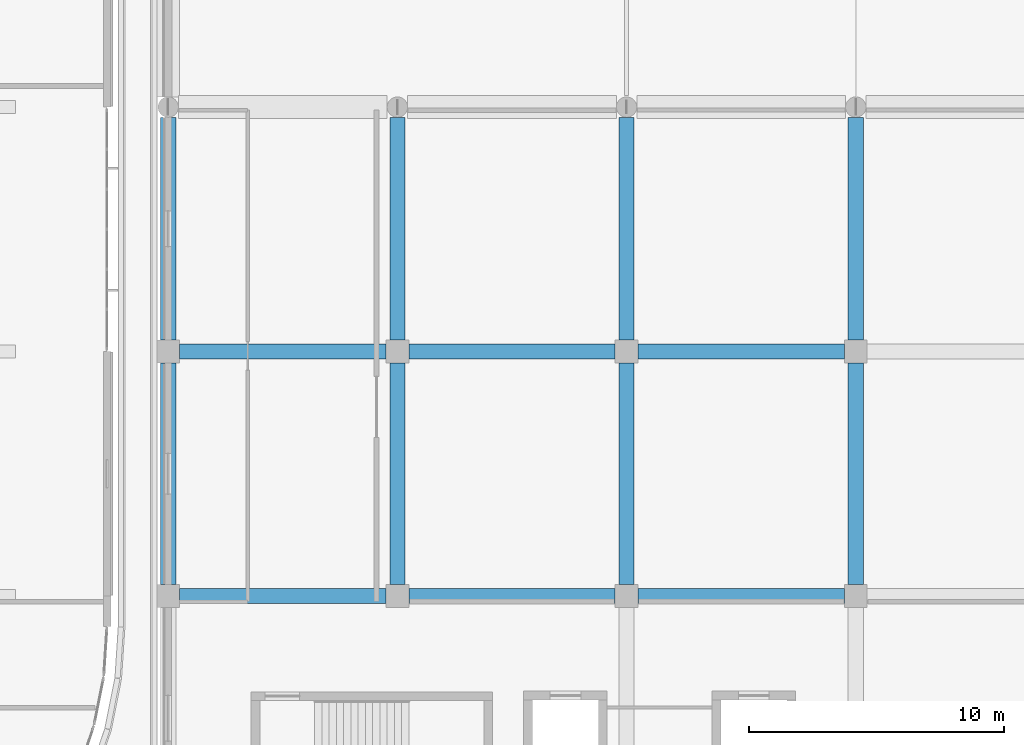
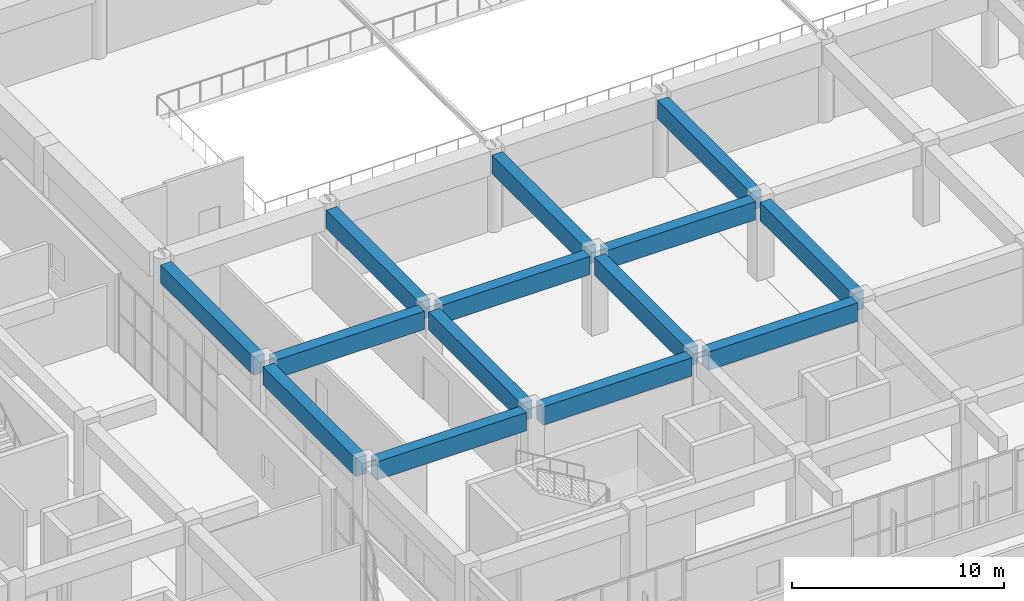
# One storey, part 19 of 96: 14 beams.
"""IFC4 building model written with IfcOpenShell, lengths in metres."""

import ifcopenshell
import ifcopenshell.guid

model = None  # the IFC model being written
_history = None  # IfcOwnerHistory: only IFC2X3 demands one
_inside = {}  # id of a spatial element -> (the spatial element, [elements in it])
_under = {}  # id of a project, library or spatial element -> (it, [spatial elements below it])
_declared = {}  # id of a project -> (the project, [libraries it declares])
_typed = {}  # id of a type object -> (the type object, [elements of that type])
_made_of = {}  # id of a material, layer set ... -> (it, [elements and type objects made of it])


def new_model(schema):
    """Start an empty IFC model of exactly this schema.

    Asked for "IFC4X3", IfcOpenShell would pick the latest addendum, in which some entities
    have other attributes; the version numbers below select the first issue.
    IFC2X3 requires an IfcOwnerHistory on every rooted entity: one is made here for all.
    """
    global model, _history
    if schema == "IFC4X3":
        model = ifcopenshell.file(schema_version=(4, 3, 0, 0))
    else:
        model = ifcopenshell.file(schema=schema)
    _inside.clear()
    _under.clear()
    _declared.clear()
    _typed.clear()
    _made_of.clear()
    _history = None
    if model.schema == "IFC2X3":
        org = make("IfcOrganization", Name="unknown")
        user = make(
            "IfcPersonAndOrganization",
            ThePerson=make("IfcPerson", FamilyName="unknown"),
            TheOrganization=org,
        )
        app = make(
            "IfcApplication",
            ApplicationDeveloper=org,
            Version="unknown",
            ApplicationFullName="unknown",
            ApplicationIdentifier="unknown",
        )
        _history = make(
            "IfcOwnerHistory",
            OwningUser=user,
            OwningApplication=app,
            ChangeAction="ADDED",
            CreationDate=0,
        )
    return model


def make(cls, **values):
    """One entity of the class cls with the attributes given. An attribute that is None is left unset."""
    return model.create_entity(
        cls, **{name: value for name, value in values.items() if value is not None}
    )


def rooted(cls, **values):
    """An entity with a GlobalId (a new one), such as an element, a storey or a relation."""
    return make(cls, GlobalId=ifcopenshell.guid.new(), OwnerHistory=_history, **values)


def si_unit(unit_type, name, prefix=None):
    """IfcSIUnit, for example si_unit("LENGTHUNIT", "METRE", prefix="MILLI")."""
    return make("IfcSIUnit", UnitType=unit_type, Prefix=prefix, Name=name)


def assignment(units):
    """IfcUnitAssignment: the units of a project."""
    return None if units is None else make("IfcUnitAssignment", Units=units)


def point(xyz):
    """IfcCartesianPoint."""
    return None if xyz is None else make("IfcCartesianPoint", Coordinates=xyz)


def direction(xyz):
    """IfcDirection."""
    return None if xyz is None else make("IfcDirection", DirectionRatios=xyz)


def frame(location, z_axis=None, x_axis=None):
    """IfcAxis2Placement3D, a coordinate frame: its origin and axes. An axis left out is left unset."""
    return make(
        "IfcAxis2Placement3D",
        Location=point(location),
        Axis=direction(z_axis),
        RefDirection=direction(x_axis),
    )


def frame_2d(location, x_axis=None):
    """IfcAxis2Placement2D, a coordinate frame in the plane: its origin and x axis."""
    return make(
        "IfcAxis2Placement2D", Location=point(location), RefDirection=direction(x_axis)
    )


def origin():
    """The frame at (0, 0, 0) with its axes left unset."""
    return frame((0.0, 0.0, 0.0))


def origin_2d():
    """The frame at (0, 0) in the plane with its x axis left unset."""
    return frame_2d((0.0, 0.0))


def place(relative_to, where):
    """IfcLocalPlacement: puts the frame where relative to a parent placement (None: the world)."""
    return make(
        "IfcLocalPlacement", PlacementRelTo=relative_to, RelativePlacement=where
    )


def context(
    kind, dimensions, precision=None, world=None, true_north=None, identifier=None
):
    """IfcGeometricRepresentationContext, for example the 3D "Model" context."""
    return make(
        "IfcGeometricRepresentationContext",
        ContextIdentifier=identifier,
        ContextType=kind,
        CoordinateSpaceDimension=dimensions,
        Precision=precision,
        WorldCoordinateSystem=world,
        TrueNorth=true_north,
    )


def subcontext(parent, identifier, kind, view, scale=None):
    """IfcGeometricRepresentationSubContext, for example "Body" below "Model"."""
    return make(
        "IfcGeometricRepresentationSubContext",
        ContextIdentifier=identifier,
        ContextType=kind,
        ParentContext=parent,
        TargetScale=scale,
        TargetView=view,
    )


def project(units=None, contexts=None):
    """IfcProject with its units and contexts."""
    return rooted(
        "IfcProject",
        Name="project",
        RepresentationContexts=contexts,
        UnitsInContext=assignment(units),
    )


def spatial(cls, under=None, at=None, **own):
    """A site, building, storey or space (cls), placed at a placement, below another one or the project."""
    s = rooted(cls, ObjectPlacement=at, **own)
    if under is not None:
        _under.setdefault(under.id(), (under, []))[1].append(s)
    return s


def profile(cls, at=None, kind="AREA", **sizes):
    """A parametric profile (cls). Its sizes go by their IFC names, for example OverallWidth=200.0."""
    return make(cls, ProfileType=kind, Position=at, **sizes)


def rectangle(**sizes):
    """IfcRectangleProfileDef."""
    return profile("IfcRectangleProfileDef", **sizes)


def extrude(swept, where, along, depth):
    """IfcExtrudedAreaSolid: the profile swept, set in the frame where, extruded along a direction by depth."""
    return make(
        "IfcExtrudedAreaSolid",
        SweptArea=swept,
        Position=where,
        ExtrudedDirection=direction(along),
        Depth=depth,
    )


def shape(context_of_items, identifier, shape_type, items):
    """IfcShapeRepresentation: the items that make up one representation, for example the "Body"."""
    return make(
        "IfcShapeRepresentation",
        ContextOfItems=context_of_items,
        RepresentationIdentifier=identifier,
        RepresentationType=shape_type,
        Items=items,
    )


def material(Name=None, Category=None):
    """IfcMaterial."""
    return make("IfcMaterial", Name=Name, Category=Category)


def material_profile(
    of_material, cross_section, Name=None, Category=None, Priority=None
):
    """IfcMaterialProfile: a cross section and its material."""
    return make(
        "IfcMaterialProfile",
        Name=Name,
        Material=of_material,
        Profile=cross_section,
        Priority=Priority,
        Category=Category,
    )


def profile_set(profiles, Name=None, composite=None):
    """IfcMaterialProfileSet."""
    return make(
        "IfcMaterialProfileSet",
        Name=Name,
        MaterialProfiles=profiles,
        CompositeProfile=composite,
    )


def made_of(thing, what):
    """Note that an element or type object is made of a material, layer set ...; save() writes the relation."""
    if what is not None:
        _made_of.setdefault(what.id(), (what, []))[1].append(thing)
    return thing


def type_object(cls, material=None, **own):
    """A type object (cls), such as IfcWallType, which elements share."""
    return made_of(rooted(cls, **own), material)


def element(
    cls,
    number,
    at=None,
    inside=None,
    cuts=None,
    type_object=None,
    material=None,
    context=None,
    identifier="Body",
    shape_type=None,
    held_by="IfcProductDefinitionShape",
    body=None,
    shapes=None,
    **own,
):
    """One element of the class cls, such as IfcWall. Its Tag is "e" and its number.

    at: its placement. inside: the storey or other place that contains it. cuts: it is an
    opening in that element (IfcRelVoidsElement). A single representation is given by context,
    identifier, shape_type and body (its items); several are given by shapes. held_by: the class
    of the entity that holds the representations. save() writes the other relations.
    """
    e = rooted(cls, Tag="e%d" % number, ObjectPlacement=at, **own)
    if body is not None:
        shapes = [shape(context, identifier, shape_type, body)]
    if shapes is not None:
        e.Representation = make(held_by, Representations=shapes)
    if inside is not None:
        _inside.setdefault(inside.id(), (inside, []))[1].append(e)
    if cuts is not None:
        rooted(
            "IfcRelVoidsElement", RelatingBuildingElement=cuts, RelatedOpeningElement=e
        )
    if type_object is not None:
        _typed.setdefault(type_object.id(), (type_object, []))[1].append(e)
    return made_of(e, material)


def aggregate(whole, parts):
    """IfcRelAggregates: a whole, such as a stair, and the parts it consists of."""
    return rooted("IfcRelAggregates", RelatingObject=whole, RelatedObjects=parts)


def save(model, path):
    """Write the relations noted so far, then the file.

    IfcRelAggregates (storeys below a building ...), IfcRelContainedInSpatialStructure (elements
    in a storey), IfcRelDefinesByType, IfcRelAssociatesMaterial and IfcRelDeclares: one each for
    every whole, place, type object, material and project.
    """
    for whole, parts in _under.values():
        aggregate(whole, parts)
    for where, things in _inside.values():
        rooted(
            "IfcRelContainedInSpatialStructure",
            RelatedElements=things,
            RelatingStructure=where,
        )
    for kind, things in _typed.values():
        rooted("IfcRelDefinesByType", RelatedObjects=things, RelatingType=kind)
    for what, things in _made_of.values():
        rooted("IfcRelAssociatesMaterial", RelatedObjects=things, RelatingMaterial=what)
    for by, libraries in _declared.values():
        rooted("IfcRelDeclares", RelatingContext=by, RelatedDefinitions=libraries)
    model.write(path)


model = new_model("IFC4")

# Units and contexts
model_context = context("Model", 3, precision=1e-05, world=origin(), true_north=direction((0.0, 1.0)))
body_context = subcontext(model_context, "Body", "Model", "MODEL_VIEW")
ifc_project = project(units=[si_unit("LENGTHUNIT", "METRE"), si_unit("AREAUNIT", "SQUARE_METRE"), si_unit("VOLUMEUNIT", "CUBIC_METRE"), si_unit("PLANEANGLEUNIT", "RADIAN"), si_unit("MASSUNIT", "GRAM", prefix="KILO")], contexts=[model_context])

# Site, building, storey
site_placement = place(None, origin())
site = spatial("IfcSite", under=ifc_project, at=site_placement, CompositionType="ELEMENT")
building_placement = place(site_placement, origin())
building = spatial("IfcBuilding", under=site, at=building_placement, Name="Cendralis Terraced Arcade", CompositionType="ELEMENT")
storey_placement = place(building_placement, frame((0.0, 0.0, 10.199951171875)))
storey = spatial("IfcBuildingStorey", under=building, at=storey_placement, Name="L02", CompositionType="ELEMENT", Elevation=10.199951171875)

# Beams
ifc_material = material(Name="Concrete f'c 35 MPa", Category="concrete")
ifc_material_profile = material_profile(ifc_material, rectangle(XDim=0.60009765625, YDim=1.050048828125, at=origin_2d()), Name="RC-BM-600x1050", Category="LoadBearing")
ifc_profile_set = profile_set([ifc_material_profile], Name="Concrete f'c 35 MPa")
beam_type = type_object("IfcBeamType", Name="BM-600x1050", PredefinedType="JOIST", material=ifc_profile_set)
for number, where, z_axis, x_axis, name in (
    (1, (67.64990234375, 19.199951171875, 3.989990234375), (1.0, 0.0, 0.0), (0.0, 1.0, 0.0), "Reinforced Concrete Frame Beam BM-X-L03-C-8_9"),
    (2, (76.64990234375, 19.199951171875, 3.989990234375), (1.0, 0.0, 0.0), (0.0, 1.0, 0.0), "Reinforced Concrete Frame Beam BM-X-L03-C-9_10"),
    (3, (85.64990234375, 19.199951171875, 3.989990234375), (1.0, 0.0, 0.0), (0.0, 1.0, 0.0), "Reinforced Concrete Frame Beam BM-X-L03-C-10_11"),
    (4, (67.64990234375, 28.800048828125, 3.989990234375), (1.0, 0.0, 0.0), (0.0, 1.0, 0.0), "Reinforced Concrete Frame Beam BM-X-L03-D-8_9"),
    (5, (76.64990234375, 28.800048828125, 3.989990234375), (1.0, 0.0, 0.0), (0.0, 1.0, 0.0), "Reinforced Concrete Frame Beam BM-X-L03-D-9_10"),
    (6, (85.64990234375, 28.800048828125, 3.989990234375), (1.0, 0.0, 0.0), (0.0, 1.0, 0.0), "Reinforced Concrete Frame Beam BM-X-L03-D-10_11"),
):
    element("IfcBeam", number, at=place(storey_placement, frame(where, z_axis=z_axis, x_axis=x_axis)), inside=storey, type_object=beam_type, Name=name, PredefinedType="JOIST", context=body_context, shape_type="SweptSolid", body=[
        extrude(rectangle(XDim=0.60009765625, YDim=1.050048828125, at=origin_2d()), origin(), (0.0, 0.0, 1.0), 8.10009765625),
    ])
beam_1_placement = place(storey_placement, frame((67.199951171875, 19.64990234375, 3.989990234375), z_axis=(0.0, 1.0, 0.0), x_axis=(-1.0, 0.0, 0.0)))
element("IfcBeam", 7, at=beam_1_placement, inside=storey, type_object=beam_type, Name="Reinforced Concrete Frame Beam BM-Y-L03-8-C_D", PredefinedType="JOIST", context=body_context, shape_type="SweptSolid", body=[
    extrude(rectangle(XDim=0.60009765625, YDim=1.050048828125, at=origin_2d()), origin(), (0.0, 0.0, 1.0), 8.7001953125),
])
beam_2_placement = place(storey_placement, frame((67.199951171875, 29.25, 3.989990234375), z_axis=(0.0, 1.0, 0.0), x_axis=(-1.0, 0.0, 0.0)))
element("IfcBeam", 8, at=beam_2_placement, inside=storey, type_object=beam_type, Name="Reinforced Concrete Frame Beam BM-Y-L03-8-D_E", PredefinedType="JOIST", context=body_context, shape_type="SweptSolid", body=[
    extrude(rectangle(XDim=0.60009765625, YDim=1.050048828125, at=origin_2d()), origin(), (0.0, 0.0, 1.0), 8.75),
])
beam_3_placement = place(storey_placement, frame((76.199951171875, 19.64990234375, 3.989990234375), z_axis=(0.0, 1.0, 0.0), x_axis=(-1.0, 0.0, 0.0)))
element("IfcBeam", 9, at=beam_3_placement, inside=storey, type_object=beam_type, Name="Reinforced Concrete Frame Beam BM-Y-L03-9-C_D", PredefinedType="JOIST", context=body_context, shape_type="SweptSolid", body=[
    extrude(rectangle(XDim=0.60009765625, YDim=1.050048828125, at=origin_2d()), origin(), (0.0, 0.0, 1.0), 8.7001953125),
])
beam_4_placement = place(storey_placement, frame((76.199951171875, 29.25, 3.989990234375), z_axis=(0.0, 1.0, 0.0), x_axis=(-1.0, 0.0, 0.0)))
element("IfcBeam", 10, at=beam_4_placement, inside=storey, type_object=beam_type, Name="Reinforced Concrete Frame Beam BM-Y-L03-9-D_E", PredefinedType="JOIST", context=body_context, shape_type="SweptSolid", body=[
    extrude(rectangle(XDim=0.60009765625, YDim=1.050048828125, at=origin_2d()), origin(), (0.0, 0.0, 1.0), 8.75),
])
beam_5_placement = place(storey_placement, frame((85.199951171875, 19.64990234375, 3.989990234375), z_axis=(0.0, 1.0, 0.0), x_axis=(-1.0, 0.0, 0.0)))
element("IfcBeam", 11, at=beam_5_placement, inside=storey, type_object=beam_type, Name="Reinforced Concrete Frame Beam BM-Y-L03-10-C_D", PredefinedType="JOIST", context=body_context, shape_type="SweptSolid", body=[
    extrude(rectangle(XDim=0.60009765625, YDim=1.050048828125, at=origin_2d()), origin(), (0.0, 0.0, 1.0), 8.7001953125),
])
beam_6_placement = place(storey_placement, frame((85.199951171875, 29.25, 3.989990234375), z_axis=(0.0, 1.0, 0.0), x_axis=(-1.0, 0.0, 0.0)))
element("IfcBeam", 12, at=beam_6_placement, inside=storey, type_object=beam_type, Name="Reinforced Concrete Frame Beam BM-Y-L03-10-D_E", PredefinedType="JOIST", context=body_context, shape_type="SweptSolid", body=[
    extrude(rectangle(XDim=0.60009765625, YDim=1.050048828125, at=origin_2d()), origin(), (0.0, 0.0, 1.0), 8.75),
])
beam_7_placement = place(storey_placement, frame((94.199951171875, 19.64990234375, 3.989990234375), z_axis=(0.0, 1.0, 0.0), x_axis=(-1.0, 0.0, 0.0)))
element("IfcBeam", 13, at=beam_7_placement, inside=storey, type_object=beam_type, Name="Reinforced Concrete Frame Beam BM-Y-L03-11-C_D", PredefinedType="JOIST", context=body_context, shape_type="SweptSolid", body=[
    extrude(rectangle(XDim=0.60009765625, YDim=1.050048828125, at=origin_2d()), origin(), (0.0, 0.0, 1.0), 8.7001953125),
])
beam_8_placement = place(storey_placement, frame((94.199951171875, 29.25, 3.989990234375), z_axis=(0.0, 1.0, 0.0), x_axis=(-1.0, 0.0, 0.0)))
element("IfcBeam", 14, at=beam_8_placement, inside=storey, type_object=beam_type, Name="Reinforced Concrete Frame Beam BM-Y-L03-11-D_E", PredefinedType="JOIST", context=body_context, shape_type="SweptSolid", body=[
    extrude(rectangle(XDim=0.60009765625, YDim=1.050048828125, at=origin_2d()), origin(), (0.0, 0.0, 1.0), 8.75),
])

save(model, "model.ifc")
